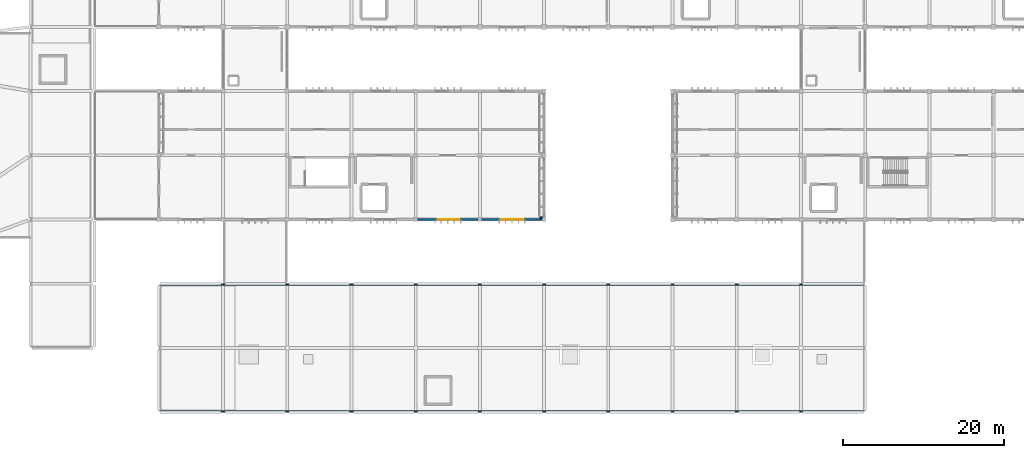
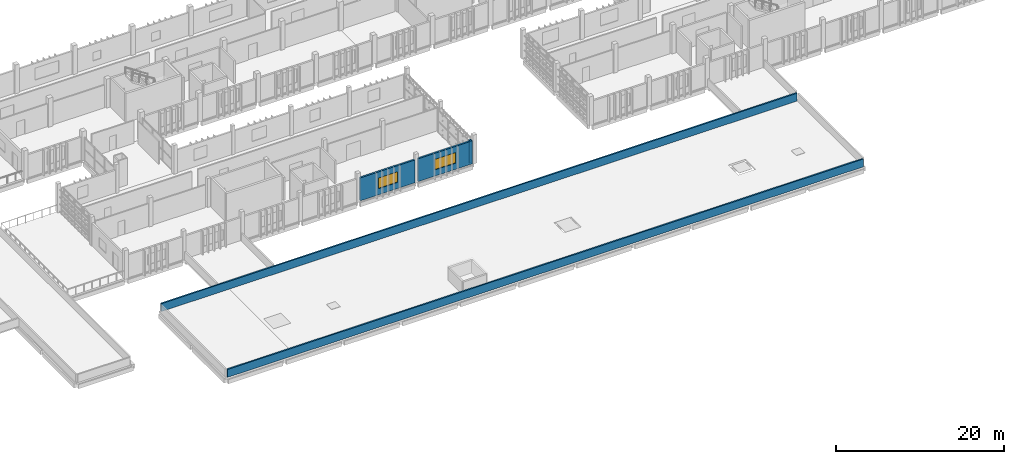
# One storey, part 32 of 48: 5 walls, 2 windows, 2 openings.
"""IFC4 building model written with IfcOpenShell, lengths in metres."""

from ifc_helpers import new_model, si_unit, direction, frame, frame_2d, origin, place, context, subcontext, project, spatial, rectangle, extrude, material, layer, layer_set, type_object, element, fill, save


model = new_model("IFC4")

# Units and contexts
model_context = context("Model", 3, precision=1e-05, world=origin(), true_north=direction((0.0, 1.0)))
body_context = subcontext(model_context, "Body", "Model", "MODEL_VIEW")
ifc_project = project(units=[si_unit("LENGTHUNIT", "METRE"), si_unit("AREAUNIT", "SQUARE_METRE"), si_unit("VOLUMEUNIT", "CUBIC_METRE"), si_unit("PLANEANGLEUNIT", "RADIAN"), si_unit("MASSUNIT", "GRAM", prefix="KILO")], contexts=[model_context])

# Site, building, storey
site_placement = place(None, origin())
site = spatial("IfcSite", under=ifc_project, at=site_placement, CompositionType="ELEMENT")
building_placement = place(site_placement, origin())
building = spatial("IfcBuilding", under=site, at=building_placement, Name="Jelvoka-Kovrelna Polytechnic", CompositionType="ELEMENT")
storey_placement = place(building_placement, frame((0.0, 0.0, 22.199951171875)))
storey = spatial("IfcBuildingStorey", under=building, at=storey_placement, Name="L06", CompositionType="ELEMENT", Elevation=22.199951171875)

# Wall, opening, window
ifc_material_1 = material(Name="Precast concrete C40/50", Category="concrete")
ifc_layer_1 = layer(ifc_material_1, 0.239990234375)
ifc_layer_set_1 = layer_set([ifc_layer_1], Name="Precast concrete C40/50")
wall_type_1 = type_object("IfcWallType", Name="Wall_Ext_White_240", PredefinedType="STANDARD", material=ifc_layer_set_1)
wall_1_placement = place(storey_placement, frame((103.778076171875, 32.0, 0.0), z_axis=(0.0, 0.0, 1.0), x_axis=(-1.0, 0.0, 0.0)))
wall_1 = element("IfcWall", 1, at=wall_1_placement, inside=storey, type_object=wall_type_1, Name="L06 exterior wall 0435", PredefinedType="STANDARD", context=body_context, shape_type="SweptSolid", body=[
    extrude(rectangle(XDim=7.531005859375, YDim=0.239990234375, at=frame_2d((3.765625, 0.0))), origin(), (0.0, 0.0, 1.0), 3.3349609375),
])
opening_1_placement = place(wall_1_placement, frame((2.35791015625, 0.0, 0.89990234375)))
opening_1 = element("IfcOpeningElement", 2, at=opening_1_placement, cuts=wall_1, Name="Opening W-L06-164", PredefinedType="OPENING", context=body_context, shape_type="SweptSolid", body=[
    extrude(rectangle(XDim=2.64990234375, YDim=1.550048828125, at=frame_2d((1.324951171875, 0.77490234375))), frame((0.0, 0.130126953125, 0.0), z_axis=(0.0, -1.0, 0.0), x_axis=(1.0, 0.0, 0.0)), (0.0, 0.0, 1.0), 0.260009765625),
])
ifc_material_2 = material(Name="Thermally broken anodised aluminium and low-e glazing", Category="aluminium")
window_type_1 = type_object("IfcWindowType", Name="Win_Casement_W29", PartitioningType="DOUBLE_PANEL_VERTICAL", PredefinedType="WINDOW", material=ifc_material_2)
window_1_placement = place(opening_1_placement, origin())
window_1 = element("IfcWindow", 3, at=window_1_placement, inside=storey, type_object=window_type_1, Name="L06 aluminium casement window W-L06-164", OverallHeight=1.550048828125, OverallWidth=2.64990234375, PartitioningType="DOUBLE_PANEL_VERTICAL", PredefinedType="WINDOW", context=body_context, shape_type="SweptSolid", body=[
    extrude(rectangle(XDim=2.64990234375, YDim=1.550048828125, at=frame_2d((1.324951171875, 0.77490234375))), frame((0.0, 0.030029296875, 0.0), z_axis=(0.0, -1.0, 0.0), x_axis=(1.0, 0.0, 0.0)), (0.0, 0.0, 1.0), 0.06005859375),
])
fill(opening_1, window_1)

wall_2_placement = place(storey_placement, frame((111.7529296875, 32.0, 0.0), z_axis=(0.0, 0.0, 1.0), x_axis=(-1.0, 0.0, 0.0)))
wall_2 = element("IfcWall", 4, at=wall_2_placement, inside=storey, type_object=wall_type_1, Name="L06 exterior wall 0437", PredefinedType="STANDARD", context=body_context, shape_type="SweptSolid", body=[
    extrude(rectangle(XDim=7.531005859375, YDim=0.239990234375, at=frame_2d((3.765625, 0.0))), origin(), (0.0, 0.0, 1.0), 3.3349609375),
])
opening_2_placement = place(wall_2_placement, frame((2.3330078125, 0.0, 0.89990234375)))
opening_2 = element("IfcOpeningElement", 5, at=opening_2_placement, cuts=wall_2, Name="Opening W-L06-166", PredefinedType="OPENING", context=body_context, shape_type="SweptSolid", body=[
    extrude(rectangle(XDim=2.85009765625, YDim=1.550048828125, at=frame_2d((1.425048828125, 0.77490234375))), frame((0.0, 0.130126953125, 0.0), z_axis=(0.0, -1.0, 0.0), x_axis=(1.0, 0.0, 0.0)), (0.0, 0.0, 1.0), 0.260009765625),
])
ifc_material_3 = material(Name="Thermally broken anodised aluminium and low-e glazing", Category="aluminium")
window_type_2 = type_object("IfcWindowType", Name="Win_Casement_W30", PartitioningType="DOUBLE_PANEL_VERTICAL", PredefinedType="WINDOW", material=ifc_material_3)
window_2_placement = place(opening_2_placement, origin())
window_2 = element("IfcWindow", 6, at=window_2_placement, inside=storey, type_object=window_type_2, Name="L06 aluminium casement window W-L06-166", OverallHeight=1.550048828125, OverallWidth=2.85009765625, PartitioningType="DOUBLE_PANEL_VERTICAL", PredefinedType="WINDOW", context=body_context, shape_type="SweptSolid", body=[
    extrude(rectangle(XDim=2.85009765625, YDim=1.550048828125, at=frame_2d((1.425048828125, 0.77490234375))), frame((0.0, 0.030029296875, 0.0), z_axis=(0.0, -1.0, 0.0), x_axis=(1.0, 0.0, 0.0)), (0.0, 0.0, 1.0), 0.06005859375),
])
fill(opening_2, window_2)

# Walls
ifc_material_4 = material(Name="Precast concrete C40/50", Category="concrete")
ifc_layer_2 = layer(ifc_material_4, 0.199951171875)
ifc_layer_set_2 = layer_set([ifc_layer_2], Name="Precast concrete C40/50")
wall_type_2 = type_object("IfcWallType", Name="Wall_Parapet_200", PredefinedType="PARAPET", material=ifc_layer_set_2)
wall_3_placement = place(storey_placement, frame((111.760009765625, 32.219970703125, 0.0), z_axis=(0.0, 0.0, 1.0), x_axis=(-1.0, 0.0, 0.0)))
element("IfcWall", 7, at=wall_3_placement, inside=storey, type_object=wall_type_2, Name="L06 exterior wall 0442", PredefinedType="PARAPET", context=body_context, shape_type="SweptSolid", body=[
    extrude(rectangle(XDim=0.320068359375, YDim=0.199951171875, at=frame_2d((0.16015625, 0.0))), origin(), (0.0, 0.0, 1.0), 3.35009765625),
])
for number, where, z_axis, x_axis, name in (
    (8, (64.219970703125, 8.10009765625, 0.0), (0.0, 0.0, 1.0), (1.0, 0.0, 0.0), "L06 exterior wall 1195"),
    (9, (151.780029296875, 23.89990234375, 0.0), (0.0, 0.0, 1.0), (-1.0, 0.0, 0.0), "L06 exterior wall 1197"),
):
    element("IfcWall", number, at=place(storey_placement, frame(where, z_axis=z_axis, x_axis=x_axis)), inside=storey, type_object=wall_type_2, Name=name, PredefinedType="PARAPET", context=body_context, shape_type="SweptSolid", body=[
        extrude(rectangle(XDim=87.56005859375, YDim=0.199951171875, at=frame_2d((43.780029296875, 0.0))), origin(), (0.0, 0.0, 1.0), 1.150146484375),
    ])

save(model, "model.ifc")
